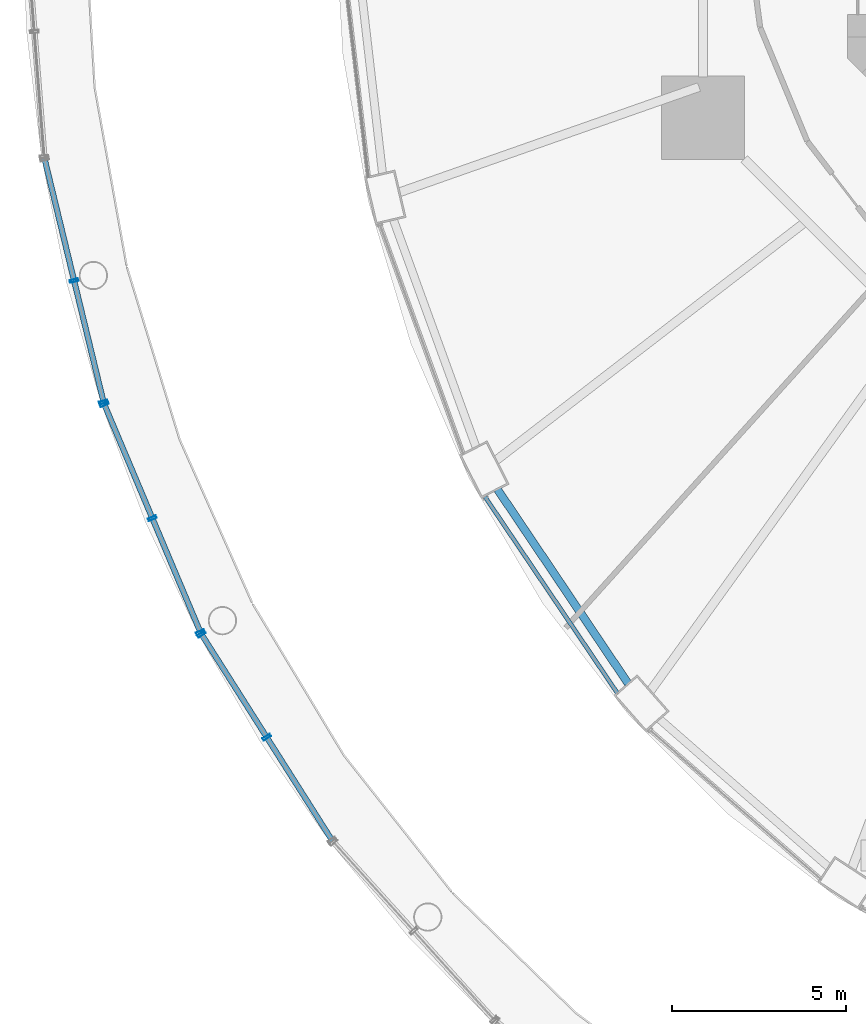
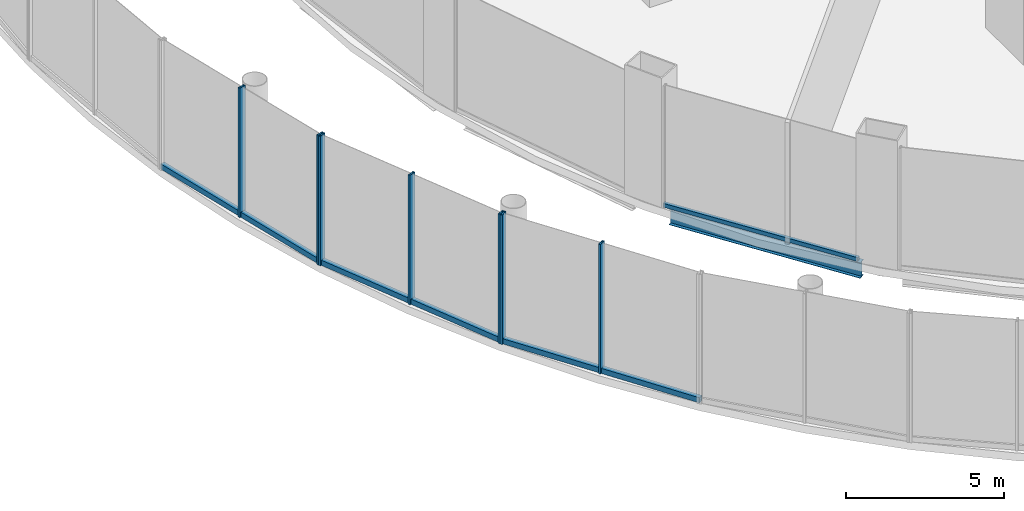
# One storey, part 5 of 47: 11 members, 1 beam, 4 elements without a shape of their own.
"""IFC4 building model written with IfcOpenShell, lengths in metres."""

from ifc_helpers import new_model, si_unit, direction, frame, origin, origin_2d, place, context, subcontext, project, spatial, hollow_rectangle, i_section, extrude, material, layer, layer_set, material_profile, profile_set, type_object, element, aggregate, save


model = new_model("IFC4")

# Units and contexts
model_context = context("Model", 3, precision=1e-05, world=origin(), true_north=direction((0.0, 1.0)))
body_context = subcontext(model_context, "Body", "Model", "MODEL_VIEW")
ifc_project = project(units=[si_unit("LENGTHUNIT", "METRE"), si_unit("AREAUNIT", "SQUARE_METRE"), si_unit("VOLUMEUNIT", "CUBIC_METRE"), si_unit("PLANEANGLEUNIT", "RADIAN"), si_unit("MASSUNIT", "GRAM", prefix="KILO")], contexts=[model_context])

# Site, building, storey
site_placement = place(None, origin())
site = spatial("IfcSite", under=ifc_project, at=site_placement, CompositionType="ELEMENT")
building_placement = place(site_placement, origin())
building = spatial("IfcBuilding", under=site, at=building_placement, Name="Nagisa Residences", CompositionType="ELEMENT")
storey_placement = place(building_placement, frame((0.0, 0.0, 7.0)))
storey = spatial("IfcBuildingStorey", under=building, at=storey_placement, Name="L01", CompositionType="ELEMENT", Elevation=7.0)

# Curtain wall, members
ifc_material_1 = material(Name="Stainless steel curtain wall system", Category="steel")
ifc_layer_1 = layer(ifc_material_1, 0.159912109375)
ifc_layer_set_1 = layer_set([ifc_layer_1], Name="CW3 CURTAIN WALL")
curtain_wall_type_1 = type_object("IfcCurtainWallType", Name="CW3 CURTAIN WALL", PredefinedType="NOTDEFINED", material=ifc_layer_set_1)
curtain_wall_1_placement = place(storey_placement, origin())
curtain_wall_1 = element("IfcCurtainWall", 1, at=curtain_wall_1_placement, inside=storey, type_object=curtain_wall_type_1, Name="cw:CW3:L01:19", PredefinedType="NOTDEFINED")
ifc_material_2 = material(Name="Stainless steel", Category="steel")
ifc_material_profile_1 = material_profile(ifc_material_2, hollow_rectangle(XDim=0.25, YDim=0.080078125, WallThickness=0.008056640625, at=origin_2d()), Name="CW3 MULLION 250x80")
ifc_profile_set_1 = profile_set([ifc_material_profile_1], Name="Stainless steel")
member_type_1 = type_object("IfcMemberType", Name="CW3 MULLION 250x80", PredefinedType="MULLION", material=ifc_profile_set_1)
member_1_placement = place(storey_placement, frame((-32.8876953125, -10.810302734375, 0.0), z_axis=(0.0, 0.0, 1.0), x_axis=(0.971848775146, 0.235605514043, 0.0)))
member_1 = element("IfcMember", 2, at=member_1_placement, type_object=member_type_1, Name="CW3 mullion", PredefinedType="MULLION", context=body_context, shape_type="SweptSolid", body=[
    extrude(hollow_rectangle(XDim=0.25, YDim=0.080078125, WallThickness=0.008056640625, at=origin_2d()), origin(), (0.0, 0.0, 1.0), 5.0),
])
member_2_placement = place(storey_placement, frame((-32.0400390625, -14.30712890625, 0.0), z_axis=(0.0, 0.0, 1.0), x_axis=(0.971848775146, 0.235605514043, 0.0)))
member_2 = element("IfcMember", 3, at=member_2_placement, type_object=member_type_1, Name="CW3 mullion", PredefinedType="MULLION", context=body_context, shape_type="SweptSolid", body=[
    extrude(hollow_rectangle(XDim=0.25, YDim=0.080078125, WallThickness=0.008056640625, at=origin_2d()), origin(), (0.0, 0.0, 1.0), 5.0),
])

curtain_wall_2_placement = place(storey_placement, origin())
curtain_wall_2 = element("IfcCurtainWall", 4, at=curtain_wall_2_placement, inside=storey, type_object=curtain_wall_type_1, Name="cw:CW3:L01:20", PredefinedType="NOTDEFINED")
member_3_placement = place(storey_placement, frame((-32.01904296875, -14.37060546875, 0.0), z_axis=(0.0, 0.0, 1.0), x_axis=(0.921356767819, 0.388718029417, 0.0)))
member_3 = element("IfcMember", 5, at=member_3_placement, type_object=member_type_1, Name="CW3 mullion", PredefinedType="MULLION", context=body_context, shape_type="SweptSolid", body=[
    extrude(hollow_rectangle(XDim=0.25, YDim=0.080078125, WallThickness=0.008056640625, at=origin_2d()), origin(), (0.0, 0.0, 1.0), 5.0),
])
member_4_placement = place(storey_placement, frame((-30.635009765625, -17.6513671875, 0.0), z_axis=(0.0, 0.0, 1.0), x_axis=(0.921356767819, 0.388718029417, 0.0)))
member_4 = element("IfcMember", 6, at=member_4_placement, type_object=member_type_1, Name="CW3 mullion", PredefinedType="MULLION", context=body_context, shape_type="SweptSolid", body=[
    extrude(hollow_rectangle(XDim=0.25, YDim=0.080078125, WallThickness=0.008056640625, at=origin_2d()), origin(), (0.0, 0.0, 1.0), 5.0),
])
member_5_placement = place(storey_placement, frame((-29.250732421875, -20.93212890625, 0.0), z_axis=(0.0, 0.0, 1.0), x_axis=(0.921356767819, 0.388718029417, 0.0)))
member_5 = element("IfcMember", 7, at=member_5_placement, type_object=member_type_1, Name="CW3 mullion", PredefinedType="MULLION", context=body_context, shape_type="SweptSolid", body=[
    extrude(hollow_rectangle(XDim=0.25, YDim=0.080078125, WallThickness=0.008056640625, at=origin_2d()), origin(), (0.0, 0.0, 1.0), 5.0),
])

curtain_wall_3_placement = place(storey_placement, origin())
curtain_wall_3 = element("IfcCurtainWall", 8, at=curtain_wall_3_placement, inside=storey, type_object=curtain_wall_type_1, Name="cw:CW3:L01:21", PredefinedType="NOTDEFINED")
member_6_placement = place(storey_placement, frame((-29.219970703125, -20.990966796875, 0.0), z_axis=(0.0, 0.0, 1.0), x_axis=(0.844747368001, 0.535165286856, 0.0)))
member_6 = element("IfcMember", 9, at=member_6_placement, type_object=member_type_1, Name="CW3 mullion", PredefinedType="MULLION", context=body_context, shape_type="SweptSolid", body=[
    extrude(hollow_rectangle(XDim=0.25, YDim=0.080078125, WallThickness=0.008056640625, at=origin_2d()), origin(), (0.0, 0.0, 1.0), 5.0),
])
member_7_placement = place(storey_placement, frame((-27.341796875, -23.955810546875, 0.0), z_axis=(0.0, 0.0, 1.0), x_axis=(0.844747368001, 0.535165286856, 0.0)))
member_7 = element("IfcMember", 10, at=member_7_placement, type_object=member_type_1, Name="CW3 mullion", PredefinedType="MULLION", context=body_context, shape_type="SweptSolid", body=[
    extrude(hollow_rectangle(XDim=0.25, YDim=0.080078125, WallThickness=0.008056640625, at=origin_2d()), origin(), (0.0, 0.0, 1.0), 5.0),
])

# Member
ifc_material_3 = material(Name="Stainless steel", Category="steel")
ifc_material_profile_2 = material_profile(ifc_material_3, hollow_rectangle(XDim=0.159912109375, YDim=0.199951171875, WallThickness=0.008056640625, at=origin_2d()), Name="CW3 TRANSOM 160x200")
ifc_profile_set_2 = profile_set([ifc_material_profile_2], Name="Stainless steel")
member_type_2 = type_object("IfcMemberType", Name="CW3 TRANSOM 160x200", PredefinedType="USERDEFINED", material=ifc_profile_set_2)
member_8_placement = place(storey_placement, frame((-33.744873046875, -7.2744140625, 0.10009765625), z_axis=(0.235605787455, -0.971848708863, 0.0), x_axis=(0.971848708863, 0.235605787455, 0.0)))
member_8 = element("IfcMember", 11, at=member_8_placement, type_object=member_type_2, Name="CW3 transom", ObjectType="TRANSOM", PredefinedType="USERDEFINED", context=body_context, shape_type="SweptSolid", body=[
    extrude(hollow_rectangle(XDim=0.159912109375, YDim=0.199951171875, WallThickness=0.008056640625, at=origin_2d()), origin(), (0.0, 0.0, 1.0), 7.2763671875),
])

aggregate(curtain_wall_1, [member_1, member_2, member_8])

member_9_placement = place(storey_placement, frame((-32.03466796875, -14.333740234375, 0.10009765625), z_axis=(0.388708599467, -0.921360746234, 0.0), x_axis=(0.921360746234, 0.388708599467, 0.0)))
member_9 = element("IfcMember", 12, at=member_9_placement, type_object=member_type_2, Name="CW3 transom", ObjectType="TRANSOM", PredefinedType="USERDEFINED", context=body_context, shape_type="SweptSolid", body=[
    extrude(hollow_rectangle(XDim=0.159912109375, YDim=0.199951171875, WallThickness=0.008056640625, at=origin_2d()), origin(), (0.0, 0.0, 1.0), 7.20166015625),
])

aggregate(curtain_wall_2, [member_3, member_4, member_5, member_9])

member_10_placement = place(storey_placement, frame((-29.241455078125, -20.957275390625, 0.10009765625), z_axis=(0.535169889444, -0.844744452147, 0.0), x_axis=(0.844744452147, 0.535169889444, 0.0)))
member_10 = element("IfcMember", 13, at=member_10_placement, type_object=member_type_2, Name="CW3 transom", ObjectType="TRANSOM", PredefinedType="USERDEFINED", context=body_context, shape_type="SweptSolid", body=[
    extrude(hollow_rectangle(XDim=0.159912109375, YDim=0.199951171875, WallThickness=0.008056640625, at=origin_2d()), origin(), (0.0, 0.0, 1.0), 7.099365234375),
])

aggregate(curtain_wall_3, [member_6, member_7, member_10])

# Curtain wall, member
ifc_material_4 = material(Name="Stainless steel curtain wall system", Category="steel")
ifc_layer_2 = layer(ifc_material_4, 0.159912109375)
ifc_layer_set_2 = layer_set([ifc_layer_2], Name="CW6 CURTAIN WALL")
curtain_wall_type_2 = type_object("IfcCurtainWallType", Name="CW6 CURTAIN WALL", PredefinedType="NOTDEFINED", material=ifc_layer_set_2)
curtain_wall_4_placement = place(storey_placement, origin())
curtain_wall_4 = element("IfcCurtainWall", 14, at=curtain_wall_4_placement, inside=storey, type_object=curtain_wall_type_2, Name="cw:CW6:L01:28", PredefinedType="NOTDEFINED")
ifc_material_5 = material(Name="Stainless steel", Category="steel")
ifc_material_profile_3 = material_profile(ifc_material_5, hollow_rectangle(XDim=0.1201171875, YDim=0.14990234375, WallThickness=0.008056640625, at=origin_2d()), Name="CW6 TRANSOM 120x150")
ifc_profile_set_3 = profile_set([ifc_material_profile_3], Name="Stainless steel")
member_type_3 = type_object("IfcMemberType", Name="CW6 TRANSOM 120x150", PredefinedType="USERDEFINED", material=ifc_profile_set_3)
member_11_placement = place(storey_placement, frame((-21.05712890625, -17.03564453125, 0.074951171875), z_axis=(0.559080645991, -0.829113280124, 0.0), x_axis=(0.829113280124, 0.559080645991, 0.0)))
member_11 = element("IfcMember", 15, at=member_11_placement, type_object=member_type_3, Name="CW6 transom", ObjectType="TRANSOM", PredefinedType="USERDEFINED", context=body_context, shape_type="SweptSolid", body=[
    extrude(hollow_rectangle(XDim=0.1201171875, YDim=0.14990234375, WallThickness=0.008056640625, at=origin_2d()), origin(), (0.0, 0.0, 1.0), 6.84326171875),
])
aggregate(curtain_wall_4, [member_11])

# Beam
ifc_material_6 = material(Name="Steel ASTM A572 Gr 50", Category="steel")
ifc_material_profile_4 = material_profile(ifc_material_6, i_section(OverallWidth=0.22802734375, OverallDepth=0.60302734375, WebThickness=0.010498046875, FlangeThickness=0.014892578125, at=origin_2d()), Name="W610x101")
ifc_profile_set_4 = profile_set([ifc_material_profile_4], Name="Steel ASTM A572 Gr 50")
beam_type = type_object("IfcBeamType", Name="Perimeter ring beam W610x101", PredefinedType="BEAM", material=ifc_profile_set_4)
beam_placement = place(storey_placement, frame((-20.69921875, -16.818603515625, -0.6015625), z_axis=(0.558296806041, -0.829641293792, 0.0), x_axis=(0.829641293792, 0.558296806041, 0.0)))
element("IfcBeam", 16, at=beam_placement, inside=storey, type_object=beam_type, Name="beam:L01:pb15", PredefinedType="BEAM", context=body_context, shape_type="SweptSolid", body=[
    extrude(i_section(OverallWidth=0.22802734375, OverallDepth=0.60302734375, WebThickness=0.010498046875, FlangeThickness=0.014892578125, at=origin_2d()), origin(), (0.0, 0.0, 1.0), 6.74169921875),
])

save(model, "model.ifc")
